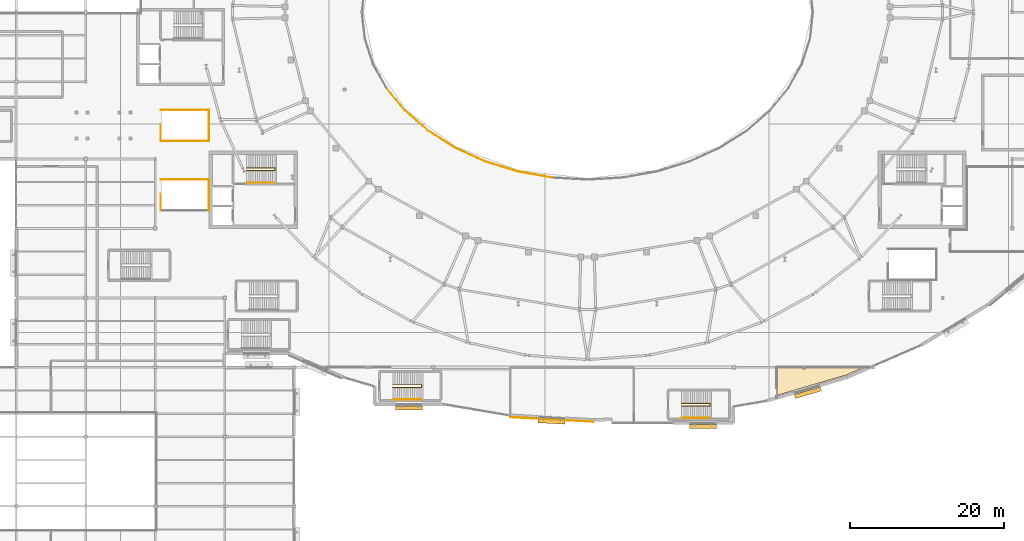
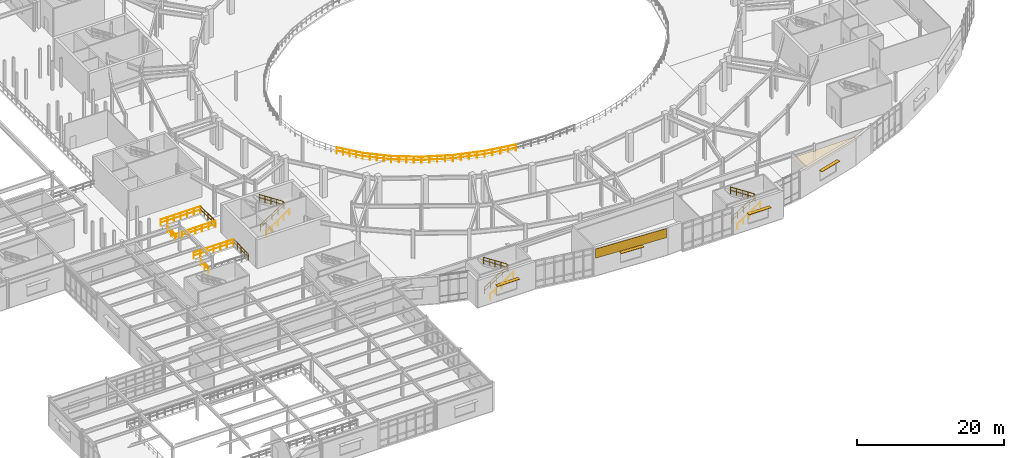
# One storey, part 82 of 86: 19 railings, 4 shading devices, 2 coverings.
"""IFC4 building model written with IfcOpenShell, lengths in metres."""

from ifc_helpers import new_model, si_unit, direction, frame, origin, origin_2d, place, context, subcontext, project, spatial, polyline, rectangle, circle, outline, extrude, material, layer, layer_set, type_object, element, save


model = new_model("IFC4")

# Units and contexts
model_context = context("Model", 3, precision=1e-05, world=origin(), true_north=direction((0.0, 1.0)))
body_context = subcontext(model_context, "Body", "Model", "MODEL_VIEW")
ifc_project = project(units=[si_unit("LENGTHUNIT", "METRE"), si_unit("AREAUNIT", "SQUARE_METRE"), si_unit("VOLUMEUNIT", "CUBIC_METRE"), si_unit("PLANEANGLEUNIT", "RADIAN"), si_unit("MASSUNIT", "GRAM", prefix="KILO")], contexts=[model_context])

# Site, building, storey
site_placement = place(None, origin())
site = spatial("IfcSite", under=ifc_project, at=site_placement, CompositionType="ELEMENT")
building_placement = place(site_placement, origin())
building = spatial("IfcBuilding", under=site, at=building_placement, Name="Glasvene Arena", CompositionType="ELEMENT")
storey_placement = place(building_placement, frame((0.0, 0.0, 5.39990234375)))
storey = spatial("IfcBuildingStorey", under=building, at=storey_placement, Name="L01", CompositionType="ELEMENT", Elevation=5.39990234375)

# Coverings
ifc_material_1 = material(Name="Perforated acoustic mineral ceiling tile")
ifc_layer_1 = layer(ifc_material_1, 0.0400390625)
ifc_layer_set_1 = layer_set([ifc_layer_1], Name="Perforated acoustic mineral ceiling tile")
covering_type_1 = type_object("IfcCoveringType", Name="COV-CEIL-AC", PredefinedType="CEILING", material=ifc_layer_set_1)
covering_1_placement = place(storey_placement, frame((120.261474609375, 26.669921875, 3.580078125)))
element("IfcCovering", 1, at=covering_1_placement, inside=storey, type_object=covering_type_1, Name="Acoustic suspended ceiling Concourse Merchandise Kiosk", PredefinedType="CEILING", context=body_context, shape_type="SweptSolid", body=[
    extrude(outline(polyline([(-3.741455078125, 0.31005859375), (-0.4697265625, 0.31005859375), (-0.4697265625, 0.199951171875), (-0.468017578125, 0.184326171875), (-0.463623046875, 0.169189453125), (-0.4560546875, 0.155517578125), (-0.4462890625, 0.143310546875), (-0.43408203125, 0.13330078125), (-0.420166015625, 0.1259765625), (-0.4052734375, 0.12158203125), (-0.3896484375, 0.119873046875), (-0.13330078125, 0.119873046875), (-0.11767578125, 0.12158203125), (-0.102783203125, 0.1259765625), (-0.0888671875, 0.13330078125), (-0.07666015625, 0.143310546875), (-0.06689453125, 0.155517578125), (-0.059326171875, 0.169189453125), (-0.054931640625, 0.184326171875), (-0.05322265625, 0.199951171875), (-0.05322265625, 0.31005859375), (7.472412109375, 0.31005859375), (5.241943359375, -0.6572265625), (-3.741455078125, -3.290771484375), (-3.741455078125, 0.31005859375)])), origin(), (0.0, 0.0, 1.0), 0.0400390625),
])
ifc_material_2 = material(Name="Coursed pale Irish limestone", Category="masonry")
ifc_layer_2 = layer(ifc_material_2, 0.050048828125)
ifc_layer_set_2 = layer_set([ifc_layer_2], Name="Coursed pale Irish limestone")
covering_type_2 = type_object("IfcCoveringType", Name="COV-CLAD-LIM", PredefinedType="CLADDING", material=ifc_layer_set_2)
covering_2_placement = place(storey_placement, frame((87.367919921875, 20.243408203125, 2.9501953125), z_axis=(0.0, 0.0, 1.0), x_axis=(-0.998450491665, 0.055647243357, 0.0)))
element("IfcCovering", 2, at=covering_2_placement, inside=storey, type_object=covering_type_2, Name="Irish limestone spandrel cladding EW-L01-0098", PredefinedType="CLADDING", context=body_context, shape_type="SweptSolid", body=[
    extrude(rectangle(XDim=10.757080078125, YDim=0.050048828125, at=origin_2d()), origin(), (0.0, 0.0, 1.0), 1.52001953125),
])

# Railings
ifc_material_3 = material(Name="Brushed stainless steel", Category="steel")
railing_type_1 = type_object("IfcRailingType", Name="RL-GUARD-1100", PredefinedType="GUARDRAIL", material=ifc_material_3)
railing_1_placement = place(storey_placement, frame((47.85009765625, 52.510009765625, 0.0)))
element("IfcRailing", 3, at=railing_1_placement, inside=storey, type_object=railing_type_1, Name="Stair inner well continuous guardrail ST-03-L01", PredefinedType="GUARDRAIL", context=body_context, shape_type="SweptSolid", body=[
    extrude(circle(Radius=0.02392578125, at=origin_2d()), frame((0.0, 0.0, 1.076171875), z_axis=(0.837590697589, 0.0, 0.546298291515), x_axis=(0.0, 1.0, 0.0)), (0.0, 0.0, 1.0), 4.3935546875),
    extrude(circle(Radius=0.01611328125, at=origin_2d()), frame((0.0, 0.0, 0.550048828125), z_axis=(0.837590697589, 0.0, 0.546298291515), x_axis=(0.0, 1.0, 0.0)), (0.0, 0.0, 1.0), 4.3935546875),
    extrude(circle(Radius=0.02392578125, at=origin_2d()), frame((3.679931640625, 0.0, 3.47607421875), z_axis=(0.0, 1.0, 0.0), x_axis=(-1.0, 0.0, 0.0)), (0.0, 0.0, 1.0), 0.330078125),
    extrude(circle(Radius=0.01611328125, at=origin_2d()), frame((3.679931640625, 0.0, 2.9501953125), z_axis=(0.0, 1.0, 0.0), x_axis=(-1.0, 0.0, 0.0)), (0.0, 0.0, 1.0), 0.330078125),
    extrude(circle(Radius=0.02392578125, at=origin_2d()), frame((3.679931640625, 0.330078125, 3.47607421875), z_axis=(-0.837616124378, 0.0, 0.546259304892), x_axis=(0.0, -1.0, 0.0)), (0.0, 0.0, 1.0), 4.393310546875),
    extrude(circle(Radius=0.01611328125, at=origin_2d()), frame((3.679931640625, 0.330078125, 2.9501953125), z_axis=(-0.837616124378, 0.0, 0.546259304892), x_axis=(0.0, -1.0, 0.0)), (0.0, 0.0, 1.0), 4.393310546875),
    extrude(circle(Radius=0.02099609375, at=origin_2d()), origin(), (0.0, 0.0, 1.0), 1.052001953125),
    extrude(circle(Radius=0.02099609375, at=origin_2d()), frame((0.919921875, 0.0, 0.60009765625)), (0.0, 0.0, 1.0), 1.052001953125),
    extrude(circle(Radius=0.02099609375, at=origin_2d()), frame((1.83984375, 0.0, 1.2001953125)), (0.0, 0.0, 1.0), 1.052001953125),
    extrude(circle(Radius=0.02099609375, at=origin_2d()), frame((2.760009765625, 0.0, 1.800048828125)), (0.0, 0.0, 1.0), 1.052001953125),
    extrude(circle(Radius=0.02099609375, at=origin_2d()), frame((3.679931640625, 0.0, 2.400146484375)), (0.0, 0.0, 1.0), 1.052001953125),
    extrude(circle(Radius=0.02099609375, at=origin_2d()), frame((3.679931640625, 0.330078125, 2.400146484375)), (0.0, 0.0, 1.0), 1.052001953125),
    extrude(circle(Radius=0.02099609375, at=origin_2d()), frame((2.760009765625, 0.330078125, 3.0)), (0.0, 0.0, 1.0), 1.052001953125),
    extrude(circle(Radius=0.02099609375, at=origin_2d()), frame((1.83984375, 0.330078125, 3.60009765625)), (0.0, 0.0, 1.0), 1.052001953125),
    extrude(circle(Radius=0.02099609375, at=origin_2d()), frame((0.919921875, 0.330078125, 4.2001953125)), (0.0, 0.0, 1.0), 1.052001953125),
    extrude(circle(Radius=0.02099609375, at=origin_2d()), frame((0.0, 0.330078125, 4.800048828125)), (0.0, 0.0, 1.0), 1.052001953125),
])
railing_2_placement = place(storey_placement, frame((66.800048828125, 24.409912109375, 0.0)))
element("IfcRailing", 4, at=railing_2_placement, inside=storey, type_object=railing_type_1, Name="Stair inner well continuous guardrail ST-08-L01", PredefinedType="GUARDRAIL", context=body_context, shape_type="SweptSolid", body=[
    extrude(circle(Radius=0.02392578125, at=origin_2d()), frame((0.0, 0.0, 1.076171875), z_axis=(0.837590697589, 0.0, 0.546298291515), x_axis=(0.0, 1.0, 0.0)), (0.0, 0.0, 1.0), 4.3935546875),
    extrude(circle(Radius=0.01611328125, at=origin_2d()), frame((0.0, 0.0, 0.550048828125), z_axis=(0.837590697589, 0.0, 0.546298291515), x_axis=(0.0, 1.0, 0.0)), (0.0, 0.0, 1.0), 4.3935546875),
    extrude(circle(Radius=0.02392578125, at=origin_2d()), frame((3.679931640625, 0.0, 3.47607421875), z_axis=(0.0, 1.0, 0.0), x_axis=(-1.0, 0.0, 0.0)), (0.0, 0.0, 1.0), 0.330078125),
    extrude(circle(Radius=0.01611328125, at=origin_2d()), frame((3.679931640625, 0.0, 2.9501953125), z_axis=(0.0, 1.0, 0.0), x_axis=(-1.0, 0.0, 0.0)), (0.0, 0.0, 1.0), 0.330078125),
    extrude(circle(Radius=0.02392578125, at=origin_2d()), frame((3.679931640625, 0.330078125, 3.47607421875), z_axis=(-0.837616124378, 0.0, 0.546259304892), x_axis=(0.0, -1.0, 0.0)), (0.0, 0.0, 1.0), 4.393310546875),
    extrude(circle(Radius=0.01611328125, at=origin_2d()), frame((3.679931640625, 0.330078125, 2.9501953125), z_axis=(-0.837616124378, 0.0, 0.546259304892), x_axis=(0.0, -1.0, 0.0)), (0.0, 0.0, 1.0), 4.393310546875),
    extrude(circle(Radius=0.02099609375, at=origin_2d()), origin(), (0.0, 0.0, 1.0), 1.052001953125),
    extrude(circle(Radius=0.02099609375, at=origin_2d()), frame((0.919921875, 0.0, 0.60009765625)), (0.0, 0.0, 1.0), 1.052001953125),
    extrude(circle(Radius=0.02099609375, at=origin_2d()), frame((1.83984375, 0.0, 1.2001953125)), (0.0, 0.0, 1.0), 1.052001953125),
    extrude(circle(Radius=0.02099609375, at=origin_2d()), frame((2.760009765625, 0.0, 1.800048828125)), (0.0, 0.0, 1.0), 1.052001953125),
    extrude(circle(Radius=0.02099609375, at=origin_2d()), frame((3.679931640625, 0.0, 2.400146484375)), (0.0, 0.0, 1.0), 1.052001953125),
    extrude(circle(Radius=0.02099609375, at=origin_2d()), frame((3.679931640625, 0.330078125, 2.400146484375)), (0.0, 0.0, 1.0), 1.052001953125),
    extrude(circle(Radius=0.02099609375, at=origin_2d()), frame((2.760009765625, 0.330078125, 3.0)), (0.0, 0.0, 1.0), 1.052001953125),
    extrude(circle(Radius=0.02099609375, at=origin_2d()), frame((1.83984375, 0.330078125, 3.60009765625)), (0.0, 0.0, 1.0), 1.052001953125),
    extrude(circle(Radius=0.02099609375, at=origin_2d()), frame((0.919921875, 0.330078125, 4.2001953125)), (0.0, 0.0, 1.0), 1.052001953125),
    extrude(circle(Radius=0.02099609375, at=origin_2d()), frame((0.0, 0.330078125, 4.800048828125)), (0.0, 0.0, 1.0), 1.052001953125),
])
railing_3_placement = place(storey_placement, frame((104.199951171875, 22.010009765625, 0.0)))
element("IfcRailing", 5, at=railing_3_placement, inside=storey, type_object=railing_type_1, Name="Stair inner well continuous guardrail ST-09-L01", PredefinedType="GUARDRAIL", context=body_context, shape_type="SweptSolid", body=[
    extrude(circle(Radius=0.02392578125, at=origin_2d()), frame((0.0, 0.0, 1.076171875), z_axis=(0.837590697589, 0.0, 0.546298291515), x_axis=(0.0, 1.0, 0.0)), (0.0, 0.0, 1.0), 4.3935546875),
    extrude(circle(Radius=0.01611328125, at=origin_2d()), frame((0.0, 0.0, 0.550048828125), z_axis=(0.837590697589, 0.0, 0.546298291515), x_axis=(0.0, 1.0, 0.0)), (0.0, 0.0, 1.0), 4.3935546875),
    extrude(circle(Radius=0.02392578125, at=origin_2d()), frame((3.679931640625, 0.0, 3.47607421875), z_axis=(0.0, 1.0, 0.0), x_axis=(-1.0, 0.0, 0.0)), (0.0, 0.0, 1.0), 0.330078125),
    extrude(circle(Radius=0.01611328125, at=origin_2d()), frame((3.679931640625, 0.0, 2.9501953125), z_axis=(0.0, 1.0, 0.0), x_axis=(-1.0, 0.0, 0.0)), (0.0, 0.0, 1.0), 0.330078125),
    extrude(circle(Radius=0.02392578125, at=origin_2d()), frame((3.679931640625, 0.330078125, 3.47607421875), z_axis=(-0.837616124378, 0.0, 0.546259304892), x_axis=(0.0, -1.0, 0.0)), (0.0, 0.0, 1.0), 4.393310546875),
    extrude(circle(Radius=0.01611328125, at=origin_2d()), frame((3.679931640625, 0.330078125, 2.9501953125), z_axis=(-0.837616124378, 0.0, 0.546259304892), x_axis=(0.0, -1.0, 0.0)), (0.0, 0.0, 1.0), 4.393310546875),
    extrude(circle(Radius=0.02099609375, at=origin_2d()), origin(), (0.0, 0.0, 1.0), 1.052001953125),
    extrude(circle(Radius=0.02099609375, at=origin_2d()), frame((0.919921875, 0.0, 0.60009765625)), (0.0, 0.0, 1.0), 1.052001953125),
    extrude(circle(Radius=0.02099609375, at=origin_2d()), frame((1.83984375, 0.0, 1.2001953125)), (0.0, 0.0, 1.0), 1.052001953125),
    extrude(circle(Radius=0.02099609375, at=origin_2d()), frame((2.760009765625, 0.0, 1.800048828125)), (0.0, 0.0, 1.0), 1.052001953125),
    extrude(circle(Radius=0.02099609375, at=origin_2d()), frame((3.679931640625, 0.0, 2.400146484375)), (0.0, 0.0, 1.0), 1.052001953125),
    extrude(circle(Radius=0.02099609375, at=origin_2d()), frame((3.679931640625, 0.330078125, 2.400146484375)), (0.0, 0.0, 1.0), 1.052001953125),
    extrude(circle(Radius=0.02099609375, at=origin_2d()), frame((2.760009765625, 0.330078125, 3.0)), (0.0, 0.0, 1.0), 1.052001953125),
    extrude(circle(Radius=0.02099609375, at=origin_2d()), frame((1.83984375, 0.330078125, 3.60009765625)), (0.0, 0.0, 1.0), 1.052001953125),
    extrude(circle(Radius=0.02099609375, at=origin_2d()), frame((0.919921875, 0.330078125, 4.2001953125)), (0.0, 0.0, 1.0), 1.052001953125),
    extrude(circle(Radius=0.02099609375, at=origin_2d()), frame((0.0, 0.330078125, 4.800048828125)), (0.0, 0.0, 1.0), 1.052001953125),
])
railing_4_placement = place(storey_placement, frame((36.719970703125, 49.449951171875, 0.0)))
element("IfcRailing", 6, at=railing_4_placement, inside=storey, type_object=railing_type_1, Name="Safety guardrail GD-VOM-01-TOP-001", PredefinedType="GUARDRAIL", context=body_context, shape_type="SweptSolid", body=[
    extrude(circle(Radius=0.02392578125, at=origin_2d()), frame((0.0, 0.0, 1.076171875), z_axis=(0.0, -1.0, 0.0), x_axis=(1.0, 0.0, 0.0)), (0.0, 0.0, 1.0), 2.1298828125),
    extrude(circle(Radius=0.01611328125, at=origin_2d()), frame((0.0, 0.0, 0.550048828125), z_axis=(0.0, -1.0, 0.0), x_axis=(1.0, 0.0, 0.0)), (0.0, 0.0, 1.0), 2.1298828125),
    extrude(circle(Radius=0.02099609375, at=origin_2d()), origin(), (0.0, 0.0, 1.0), 1.052001953125),
    extrude(circle(Radius=0.02099609375, at=origin_2d()), frame((0.0, -1.06494140625, 0.0)), (0.0, 0.0, 1.0), 1.052001953125),
    extrude(circle(Radius=0.02099609375, at=origin_2d()), frame((0.0, -2.1298828125, 0.0)), (0.0, 0.0, 1.0), 1.052001953125),
])
railing_5_placement = place(storey_placement, frame((42.97998046875, 47.320068359375, 0.0)))
element("IfcRailing", 7, at=railing_5_placement, inside=storey, type_object=railing_type_1, Name="Safety guardrail GD-VOM-01-TOP-003", PredefinedType="GUARDRAIL", context=body_context, shape_type="SweptSolid", body=[
    extrude(circle(Radius=0.02392578125, at=origin_2d()), frame((0.0, 0.0, 1.076171875), z_axis=(0.0, 1.0, 0.0), x_axis=(-1.0, 0.0, 0.0)), (0.0, 0.0, 1.0), 4.010009765625),
    extrude(circle(Radius=0.01611328125, at=origin_2d()), frame((0.0, 0.0, 0.550048828125), z_axis=(0.0, 1.0, 0.0), x_axis=(-1.0, 0.0, 0.0)), (0.0, 0.0, 1.0), 4.010009765625),
    extrude(circle(Radius=0.02099609375, at=origin_2d()), origin(), (0.0, 0.0, 1.0), 1.052001953125),
    extrude(circle(Radius=0.02099609375, at=origin_2d()), frame((0.0, 1.00244140625, 0.0)), (0.0, 0.0, 1.0), 1.052001953125),
    extrude(circle(Radius=0.02099609375, at=origin_2d()), frame((0.0, 2.0048828125, 0.0)), (0.0, 0.0, 1.0), 1.052001953125),
    extrude(circle(Radius=0.02099609375, at=origin_2d()), frame((0.0, 3.007568359375, 0.0)), (0.0, 0.0, 1.0), 1.052001953125),
    extrude(circle(Radius=0.02099609375, at=origin_2d()), frame((0.0, 4.010009765625, 0.0)), (0.0, 0.0, 1.0), 1.052001953125),
])
railing_6_placement = place(storey_placement, frame((42.97998046875, 51.330078125, 0.0)))
element("IfcRailing", 8, at=railing_6_placement, inside=storey, type_object=railing_type_1, Name="Safety guardrail GD-VOM-01-TOP-004", PredefinedType="GUARDRAIL", context=body_context, shape_type="SweptSolid", body=[
    extrude(circle(Radius=0.02392578125, at=origin_2d()), frame((0.0, 0.0, 1.076171875), z_axis=(-1.0, 0.0, 0.0), x_axis=(0.0, -1.0, 0.0)), (0.0, 0.0, 1.0), 6.260009765625),
    extrude(circle(Radius=0.01611328125, at=origin_2d()), frame((0.0, 0.0, 0.550048828125), z_axis=(-1.0, 0.0, 0.0), x_axis=(0.0, -1.0, 0.0)), (0.0, 0.0, 1.0), 6.260009765625),
    extrude(circle(Radius=0.02099609375, at=origin_2d()), origin(), (0.0, 0.0, 1.0), 1.052001953125),
    extrude(circle(Radius=0.02099609375, at=origin_2d()), frame((-1.04345703125, 0.0, 0.0)), (0.0, 0.0, 1.0), 1.052001953125),
    extrude(circle(Radius=0.02099609375, at=origin_2d()), frame((-2.086669921875, 0.0, 0.0)), (0.0, 0.0, 1.0), 1.052001953125),
    extrude(circle(Radius=0.02099609375, at=origin_2d()), frame((-3.1298828125, 0.0, 0.0)), (0.0, 0.0, 1.0), 1.052001953125),
    extrude(circle(Radius=0.02099609375, at=origin_2d()), frame((-4.17333984375, 0.0, 0.0)), (0.0, 0.0, 1.0), 1.052001953125),
    extrude(circle(Radius=0.02099609375, at=origin_2d()), frame((-5.216796875, 0.0, 0.0)), (0.0, 0.0, 1.0), 1.052001953125),
    extrude(circle(Radius=0.02099609375, at=origin_2d()), frame((-6.260009765625, 0.0, 0.0)), (0.0, 0.0, 1.0), 1.052001953125),
])
railing_7_placement = place(storey_placement, frame((36.719970703125, 58.449951171875, 0.0)))
element("IfcRailing", 9, at=railing_7_placement, inside=storey, type_object=railing_type_1, Name="Safety guardrail GD-VOM-03-TOP-001", PredefinedType="GUARDRAIL", context=body_context, shape_type="SweptSolid", body=[
    extrude(circle(Radius=0.02392578125, at=origin_2d()), frame((0.0, 0.0, 1.076171875), z_axis=(0.0, -1.0, 0.0), x_axis=(1.0, 0.0, 0.0)), (0.0, 0.0, 1.0), 2.1298828125),
    extrude(circle(Radius=0.01611328125, at=origin_2d()), frame((0.0, 0.0, 0.550048828125), z_axis=(0.0, -1.0, 0.0), x_axis=(1.0, 0.0, 0.0)), (0.0, 0.0, 1.0), 2.1298828125),
    extrude(circle(Radius=0.02099609375, at=origin_2d()), origin(), (0.0, 0.0, 1.0), 1.052001953125),
    extrude(circle(Radius=0.02099609375, at=origin_2d()), frame((0.0, -1.06494140625, 0.0)), (0.0, 0.0, 1.0), 1.052001953125),
    extrude(circle(Radius=0.02099609375, at=origin_2d()), frame((0.0, -2.1298828125, 0.0)), (0.0, 0.0, 1.0), 1.052001953125),
])
railing_8_placement = place(storey_placement, frame((36.719970703125, 56.320068359375, 0.0)))
element("IfcRailing", 10, at=railing_8_placement, inside=storey, type_object=railing_type_1, Name="Safety guardrail GD-VOM-03-TOP-002", PredefinedType="GUARDRAIL", context=body_context, shape_type="SweptSolid", body=[
    extrude(circle(Radius=0.02392578125, at=origin_2d()), frame((0.0, 0.0, 1.076171875), z_axis=(1.0, 0.0, 0.0), x_axis=(0.0, 1.0, 0.0)), (0.0, 0.0, 1.0), 6.260009765625),
    extrude(circle(Radius=0.01611328125, at=origin_2d()), frame((0.0, 0.0, 0.550048828125), z_axis=(1.0, 0.0, 0.0), x_axis=(0.0, 1.0, 0.0)), (0.0, 0.0, 1.0), 6.260009765625),
    extrude(circle(Radius=0.02099609375, at=origin_2d()), origin(), (0.0, 0.0, 1.0), 1.052001953125),
    extrude(circle(Radius=0.02099609375, at=origin_2d()), frame((1.04345703125, 0.0, 0.0)), (0.0, 0.0, 1.0), 1.052001953125),
    extrude(circle(Radius=0.02099609375, at=origin_2d()), frame((2.086669921875, 0.0, 0.0)), (0.0, 0.0, 1.0), 1.052001953125),
    extrude(circle(Radius=0.02099609375, at=origin_2d()), frame((3.1298828125, 0.0, 0.0)), (0.0, 0.0, 1.0), 1.052001953125),
    extrude(circle(Radius=0.02099609375, at=origin_2d()), frame((4.17333984375, 0.0, 0.0)), (0.0, 0.0, 1.0), 1.052001953125),
    extrude(circle(Radius=0.02099609375, at=origin_2d()), frame((5.216796875, 0.0, 0.0)), (0.0, 0.0, 1.0), 1.052001953125),
    extrude(circle(Radius=0.02099609375, at=origin_2d()), frame((6.260009765625, 0.0, 0.0)), (0.0, 0.0, 1.0), 1.052001953125),
])
railing_9_placement = place(storey_placement, frame((42.97998046875, 56.320068359375, 0.0)))
element("IfcRailing", 11, at=railing_9_placement, inside=storey, type_object=railing_type_1, Name="Safety guardrail GD-VOM-03-TOP-003", PredefinedType="GUARDRAIL", context=body_context, shape_type="SweptSolid", body=[
    extrude(circle(Radius=0.02392578125, at=origin_2d()), frame((0.0, 0.0, 1.076171875), z_axis=(0.0, 1.0, 0.0), x_axis=(-1.0, 0.0, 0.0)), (0.0, 0.0, 1.0), 4.010009765625),
    extrude(circle(Radius=0.01611328125, at=origin_2d()), frame((0.0, 0.0, 0.550048828125), z_axis=(0.0, 1.0, 0.0), x_axis=(-1.0, 0.0, 0.0)), (0.0, 0.0, 1.0), 4.010009765625),
    extrude(circle(Radius=0.02099609375, at=origin_2d()), origin(), (0.0, 0.0, 1.0), 1.052001953125),
    extrude(circle(Radius=0.02099609375, at=origin_2d()), frame((0.0, 1.00244140625, 0.0)), (0.0, 0.0, 1.0), 1.052001953125),
    extrude(circle(Radius=0.02099609375, at=origin_2d()), frame((0.0, 2.0048828125, 0.0)), (0.0, 0.0, 1.0), 1.052001953125),
    extrude(circle(Radius=0.02099609375, at=origin_2d()), frame((0.0, 3.007568359375, 0.0)), (0.0, 0.0, 1.0), 1.052001953125),
    extrude(circle(Radius=0.02099609375, at=origin_2d()), frame((0.0, 4.010009765625, 0.0)), (0.0, 0.0, 1.0), 1.052001953125),
])
railing_10_placement = place(storey_placement, frame((42.97998046875, 60.330078125, 0.0)))
element("IfcRailing", 12, at=railing_10_placement, inside=storey, type_object=railing_type_1, Name="Safety guardrail GD-VOM-03-TOP-004", PredefinedType="GUARDRAIL", context=body_context, shape_type="SweptSolid", body=[
    extrude(circle(Radius=0.02392578125, at=origin_2d()), frame((0.0, 0.0, 1.076171875), z_axis=(-1.0, 0.0, 0.0), x_axis=(0.0, -1.0, 0.0)), (0.0, 0.0, 1.0), 6.260009765625),
    extrude(circle(Radius=0.01611328125, at=origin_2d()), frame((0.0, 0.0, 0.550048828125), z_axis=(-1.0, 0.0, 0.0), x_axis=(0.0, -1.0, 0.0)), (0.0, 0.0, 1.0), 6.260009765625),
    extrude(circle(Radius=0.02099609375, at=origin_2d()), origin(), (0.0, 0.0, 1.0), 1.052001953125),
    extrude(circle(Radius=0.02099609375, at=origin_2d()), frame((-1.04345703125, 0.0, 0.0)), (0.0, 0.0, 1.0), 1.052001953125),
    extrude(circle(Radius=0.02099609375, at=origin_2d()), frame((-2.086669921875, 0.0, 0.0)), (0.0, 0.0, 1.0), 1.052001953125),
    extrude(circle(Radius=0.02099609375, at=origin_2d()), frame((-3.1298828125, 0.0, 0.0)), (0.0, 0.0, 1.0), 1.052001953125),
    extrude(circle(Radius=0.02099609375, at=origin_2d()), frame((-4.17333984375, 0.0, 0.0)), (0.0, 0.0, 1.0), 1.052001953125),
    extrude(circle(Radius=0.02099609375, at=origin_2d()), frame((-5.216796875, 0.0, 0.0)), (0.0, 0.0, 1.0), 1.052001953125),
    extrude(circle(Radius=0.02099609375, at=origin_2d()), frame((-6.260009765625, 0.0, 0.0)), (0.0, 0.0, 1.0), 1.052001953125),
])
railing_11_placement = place(storey_placement, frame((65.982666015625, 63.1484375, 0.0)))
element("IfcRailing", 13, at=railing_11_placement, inside=storey, type_object=railing_type_1, Name="Safety guardrail GD-BWL-L01-024", PredefinedType="GUARDRAIL", context=body_context, shape_type="SweptSolid", body=[
    extrude(circle(Radius=0.02392578125, at=origin_2d()), frame((0.0, 0.0, 1.076171875), z_axis=(0.6361937785, -0.771529310006, 0.0), x_axis=(0.771529310006, 0.6361937785, 0.0)), (0.0, 0.0, 1.0), 3.76318359375),
    extrude(circle(Radius=0.01611328125, at=origin_2d()), frame((0.0, 0.0, 0.550048828125), z_axis=(0.6361937785, -0.771529310006, 0.0), x_axis=(0.771529310006, 0.6361937785, 0.0)), (0.0, 0.0, 1.0), 3.76318359375),
    extrude(circle(Radius=0.02099609375, at=origin_2d()), origin(), (0.0, 0.0, 1.0), 1.052001953125),
    extrude(circle(Radius=0.02099609375, at=origin_2d()), frame((0.5986328125, -0.725830078125, 0.0)), (0.0, 0.0, 1.0), 1.052001953125),
    extrude(circle(Radius=0.02099609375, at=origin_2d()), frame((1.197021484375, -1.45166015625, 0.0)), (0.0, 0.0, 1.0), 1.052001953125),
    extrude(circle(Radius=0.02099609375, at=origin_2d()), frame((1.79541015625, -2.177490234375, 0.0)), (0.0, 0.0, 1.0), 1.052001953125),
    extrude(circle(Radius=0.02099609375, at=origin_2d()), frame((2.39404296875, -2.9033203125, 0.0)), (0.0, 0.0, 1.0), 1.052001953125),
])
railing_12_placement = place(storey_placement, frame((68.376708984375, 60.2451171875, 0.0)))
element("IfcRailing", 14, at=railing_12_placement, inside=storey, type_object=railing_type_1, Name="Safety guardrail GD-BWL-L01-025", PredefinedType="GUARDRAIL", context=body_context, shape_type="SweptSolid", body=[
    extrude(circle(Radius=0.02392578125, at=origin_2d()), frame((0.0, 0.0, 1.076171875), z_axis=(0.754394959105, -0.656420784007, 0.0), x_axis=(0.656420784007, 0.754394959105, 0.0)), (0.0, 0.0, 1.0), 3.944580078125),
    extrude(circle(Radius=0.01611328125, at=origin_2d()), frame((0.0, 0.0, 0.550048828125), z_axis=(0.754394959105, -0.656420784007, 0.0), x_axis=(0.656420784007, 0.754394959105, 0.0)), (0.0, 0.0, 1.0), 3.944580078125),
    extrude(circle(Radius=0.02099609375, at=origin_2d()), origin(), (0.0, 0.0, 1.0), 1.052001953125),
    extrude(circle(Radius=0.02099609375, at=origin_2d()), frame((0.743896484375, -0.6474609375, 0.0)), (0.0, 0.0, 1.0), 1.052001953125),
    extrude(circle(Radius=0.02099609375, at=origin_2d()), frame((1.48779296875, -1.294677734375, 0.0)), (0.0, 0.0, 1.0), 1.052001953125),
    extrude(circle(Radius=0.02099609375, at=origin_2d()), frame((2.23193359375, -1.94189453125, 0.0)), (0.0, 0.0, 1.0), 1.052001953125),
    extrude(circle(Radius=0.02099609375, at=origin_2d()), frame((2.975830078125, -2.58935546875, 0.0)), (0.0, 0.0, 1.0), 1.052001953125),
])
railing_13_placement = place(storey_placement, frame((71.3525390625, 57.65576171875, 0.0)))
element("IfcRailing", 15, at=railing_13_placement, inside=storey, type_object=railing_type_1, Name="Safety guardrail GD-BWL-L01-026", PredefinedType="GUARDRAIL", context=body_context, shape_type="SweptSolid", body=[
    extrude(circle(Radius=0.02392578125, at=origin_2d()), frame((0.0, 0.0, 1.076171875), z_axis=(0.844291843699, -0.535883646572, 0.0), x_axis=(0.535883646572, 0.844291843699, 0.0)), (0.0, 0.0, 1.0), 4.126708984375),
    extrude(circle(Radius=0.01611328125, at=origin_2d()), frame((0.0, 0.0, 0.550048828125), z_axis=(0.844291843699, -0.535883646572, 0.0), x_axis=(0.535883646572, 0.844291843699, 0.0)), (0.0, 0.0, 1.0), 4.126708984375),
    extrude(circle(Radius=0.02099609375, at=origin_2d()), origin(), (0.0, 0.0, 1.0), 1.052001953125),
    extrude(circle(Radius=0.02099609375, at=origin_2d()), frame((0.87109375, -0.552734375, 0.0)), (0.0, 0.0, 1.0), 1.052001953125),
    extrude(circle(Radius=0.02099609375, at=origin_2d()), frame((1.7421875, -1.105712890625, 0.0)), (0.0, 0.0, 1.0), 1.052001953125),
    extrude(circle(Radius=0.02099609375, at=origin_2d()), frame((2.613037109375, -1.65869140625, 0.0)), (0.0, 0.0, 1.0), 1.052001953125),
    extrude(circle(Radius=0.02099609375, at=origin_2d()), frame((3.484130859375, -2.21142578125, 0.0)), (0.0, 0.0, 1.0), 1.052001953125),
])
railing_14_placement = place(storey_placement, frame((74.836669921875, 55.4443359375, 0.0)))
element("IfcRailing", 16, at=railing_14_placement, inside=storey, type_object=railing_type_1, Name="Safety guardrail GD-BWL-L01-027", PredefinedType="GUARDRAIL", context=body_context, shape_type="SweptSolid", body=[
    extrude(circle(Radius=0.02392578125, at=origin_2d()), frame((0.0, 0.0, 1.076171875), z_axis=(0.910079947412, -0.414432731958, 0.0), x_axis=(0.414432731958, 0.910079947412, 0.0)), (0.0, 0.0, 1.0), 4.292724609375),
    extrude(circle(Radius=0.01611328125, at=origin_2d()), frame((0.0, 0.0, 0.550048828125), z_axis=(0.910079947412, -0.414432731958, 0.0), x_axis=(0.414432731958, 0.910079947412, 0.0)), (0.0, 0.0, 1.0), 4.292724609375),
    extrude(circle(Radius=0.02099609375, at=origin_2d()), origin(), (0.0, 0.0, 1.0), 1.052001953125),
    extrude(circle(Radius=0.02099609375, at=origin_2d()), frame((0.9765625, -0.44482421875, 0.0)), (0.0, 0.0, 1.0), 1.052001953125),
    extrude(circle(Radius=0.02099609375, at=origin_2d()), frame((1.953369140625, -0.8896484375, 0.0)), (0.0, 0.0, 1.0), 1.052001953125),
    extrude(circle(Radius=0.02099609375, at=origin_2d()), frame((2.93017578125, -1.334228515625, 0.0)), (0.0, 0.0, 1.0), 1.052001953125),
    extrude(circle(Radius=0.02099609375, at=origin_2d()), frame((3.90673828125, -1.779052734375, 0.0)), (0.0, 0.0, 1.0), 1.052001953125),
])
railing_15_placement = place(storey_placement, frame((78.743408203125, 53.665283203125, 0.0)))
element("IfcRailing", 17, at=railing_15_placement, inside=storey, type_object=railing_type_1, Name="Safety guardrail GD-BWL-L01-028", PredefinedType="GUARDRAIL", context=body_context, shape_type="SweptSolid", body=[
    extrude(circle(Radius=0.02392578125, at=origin_2d()), frame((0.0, 0.0, 1.076171875), z_axis=(0.955738480796, -0.294217532323, 0.0), x_axis=(0.294217532323, 0.955738480796, 0.0)), (0.0, 0.0, 1.0), 4.429443359375),
    extrude(circle(Radius=0.01611328125, at=origin_2d()), frame((0.0, 0.0, 0.550048828125), z_axis=(0.955738480796, -0.294217532323, 0.0), x_axis=(0.294217532323, 0.955738480796, 0.0)), (0.0, 0.0, 1.0), 4.429443359375),
    extrude(circle(Radius=0.02099609375, at=origin_2d()), origin(), (0.0, 0.0, 1.0), 1.052001953125),
    extrude(circle(Radius=0.02099609375, at=origin_2d()), frame((1.058349609375, -0.32568359375, 0.0)), (0.0, 0.0, 1.0), 1.052001953125),
    extrude(circle(Radius=0.02099609375, at=origin_2d()), frame((2.11669921875, -0.651611328125, 0.0)), (0.0, 0.0, 1.0), 1.052001953125),
    extrude(circle(Radius=0.02099609375, at=origin_2d()), frame((3.175048828125, -0.9775390625, 0.0)), (0.0, 0.0, 1.0), 1.052001953125),
    extrude(circle(Radius=0.02099609375, at=origin_2d()), frame((4.2333984375, -1.30322265625, 0.0)), (0.0, 0.0, 1.0), 1.052001953125),
])
railing_16_placement = place(storey_placement, frame((82.976806640625, 52.362060546875, 0.0)))
element("IfcRailing", 18, at=railing_16_placement, inside=storey, type_object=railing_type_1, Name="Safety guardrail GD-BWL-L01-029", PredefinedType="GUARDRAIL", context=body_context, shape_type="SweptSolid", body=[
    extrude(circle(Radius=0.02392578125, at=origin_2d()), frame((0.0, 0.0, 1.076171875), z_axis=(0.984453237515, -0.175646870587, 0.0), x_axis=(0.175646870587, 0.984453237515, 0.0)), (0.0, 0.0, 1.0), 4.525634765625),
    extrude(circle(Radius=0.01611328125, at=origin_2d()), frame((0.0, 0.0, 0.550048828125), z_axis=(0.984453237515, -0.175646870587, 0.0), x_axis=(0.175646870587, 0.984453237515, 0.0)), (0.0, 0.0, 1.0), 4.525634765625),
    extrude(circle(Radius=0.02099609375, at=origin_2d()), origin(), (0.0, 0.0, 1.0), 1.052001953125),
    extrude(circle(Radius=0.02099609375, at=origin_2d()), frame((1.11376953125, -0.19873046875, 0.0)), (0.0, 0.0, 1.0), 1.052001953125),
    extrude(circle(Radius=0.02099609375, at=origin_2d()), frame((2.2275390625, -0.3974609375, 0.0)), (0.0, 0.0, 1.0), 1.052001953125),
    extrude(circle(Radius=0.02099609375, at=origin_2d()), frame((3.341552734375, -0.59619140625, 0.0)), (0.0, 0.0, 1.0), 1.052001953125),
    extrude(circle(Radius=0.02099609375, at=origin_2d()), frame((4.455322265625, -0.794921875, 0.0)), (0.0, 0.0, 1.0), 1.052001953125),
])
railing_type_2 = type_object("IfcRailingType", Name="RL-HAND-950", PredefinedType="HANDRAIL", material=ifc_material_3)
for number, where, name in (
    (19, (47.85009765625, 50.909912109375, 0.0), "Stair wall handrail ST-03-L01"),
    (20, (66.800048828125, 22.860107421875, 0.0), "Stair wall handrail ST-08-L01"),
):
    element("IfcRailing", number, at=place(storey_placement, frame(where)), inside=storey, type_object=railing_type_2, Name=name, PredefinedType="HANDRAIL", context=body_context, shape_type="SweptSolid", body=[
        extrude(circle(Radius=0.02392578125, at=origin_2d()), frame((0.0, 0.0, 0.92578125), z_axis=(0.834839479206, 0.0, 0.550493454965), x_axis=(0.0, 1.0, 0.0)), (0.0, 0.0, 1.0), 4.360107421875),
        extrude(circle(Radius=0.02099609375, at=origin_2d()), origin(), (0.0, 0.0, 1.0), 0.90185546875),
        extrude(circle(Radius=0.02099609375, at=origin_2d()), frame((0.909912109375, 0.0, 0.60009765625)), (0.0, 0.0, 1.0), 0.90185546875),
        extrude(circle(Radius=0.02099609375, at=origin_2d()), frame((1.81982421875, 0.0, 1.2001953125)), (0.0, 0.0, 1.0), 0.90185546875),
        extrude(circle(Radius=0.02099609375, at=origin_2d()), frame((2.72998046875, 0.0, 1.800048828125)), (0.0, 0.0, 1.0), 0.90185546875),
        extrude(circle(Radius=0.02099609375, at=origin_2d()), frame((3.639892578125, 0.0, 2.400146484375)), (0.0, 0.0, 1.0), 0.90185546875),
    ])
railing_17_placement = place(storey_placement, frame((104.199951171875, 20.4599609375, 0.0)))
element("IfcRailing", 21, at=railing_17_placement, inside=storey, type_object=railing_type_2, Name="Stair wall handrail ST-09-L01", PredefinedType="HANDRAIL", context=body_context, shape_type="SweptSolid", body=[
    extrude(circle(Radius=0.02392578125, at=origin_2d()), frame((0.0, 0.0, 0.92578125), z_axis=(0.834856447115, 0.0, 0.55046772177), x_axis=(0.0, 1.0, 0.0)), (0.0, 0.0, 1.0), 4.360107421875),
    extrude(circle(Radius=0.02099609375, at=origin_2d()), origin(), (0.0, 0.0, 1.0), 0.90185546875),
    extrude(circle(Radius=0.02099609375, at=origin_2d()), frame((0.91015625, 0.0, 0.60009765625)), (0.0, 0.0, 1.0), 0.90185546875),
    extrude(circle(Radius=0.02099609375, at=origin_2d()), frame((1.820068359375, 0.0, 1.2001953125)), (0.0, 0.0, 1.0), 0.90185546875),
    extrude(circle(Radius=0.02099609375, at=origin_2d()), frame((2.72998046875, 0.0, 1.800048828125)), (0.0, 0.0, 1.0), 0.90185546875),
    extrude(circle(Radius=0.02099609375, at=origin_2d()), frame((3.64013671875, 0.0, 2.400146484375)), (0.0, 0.0, 1.0), 0.90185546875),
])

# Shading devices
ifc_material_4 = material(Name="Warm bronze architectural aluminium", Category="aluminium")
ifc_layer_3 = layer(ifc_material_4, 0.06005859375)
ifc_layer_set_3 = layer_set([ifc_layer_3], Name="Warm bronze architectural aluminium")
shading_device_type = type_object("IfcShadingDeviceType", Name="SHD-BRONZE-FIN", PredefinedType="USERDEFINED", material=ifc_layer_set_3)
for number, where, z_axis, x_axis, name in (
    (22, (120.5419921875, 23.71923828125, 2.820068359375), (0.0, 0.0, 1.0), (-0.959609115766, -0.281336710971, 0.0), "Warm bronze brise-soleil fin BS-021"),
    (23, (106.97509765625, 19.3349609375, 2.820068359375), (0.0, 0.0, 1.0), (-1.0, 0.0, 0.0), "Warm bronze brise-soleil fin BS-022"),
    (24, (87.354248046875, 19.998779296875, 2.820068359375), (0.0, 0.0, 1.0), (-0.998450491665, 0.055647243357, 0.0), "Warm bronze brise-soleil fin BS-023"),
    (25, (68.889892578125, 21.735107421875, 2.820068359375), (0.0, 0.0, 1.0), (-1.0, 0.0, 0.0), "Warm bronze brise-soleil fin BS-024"),
):
    element("IfcShadingDevice", number, at=place(storey_placement, frame(where, z_axis=z_axis, x_axis=x_axis)), inside=storey, type_object=shading_device_type, Name=name, ObjectType="BRISE SOLEIL", PredefinedType="USERDEFINED", context=body_context, shape_type="SweptSolid", body=[
        extrude(rectangle(XDim=3.5, YDim=0.550048828125, at=origin_2d()), origin(), (0.0, 0.0, 1.0), 0.06005859375),
    ])

save(model, "model.ifc")
